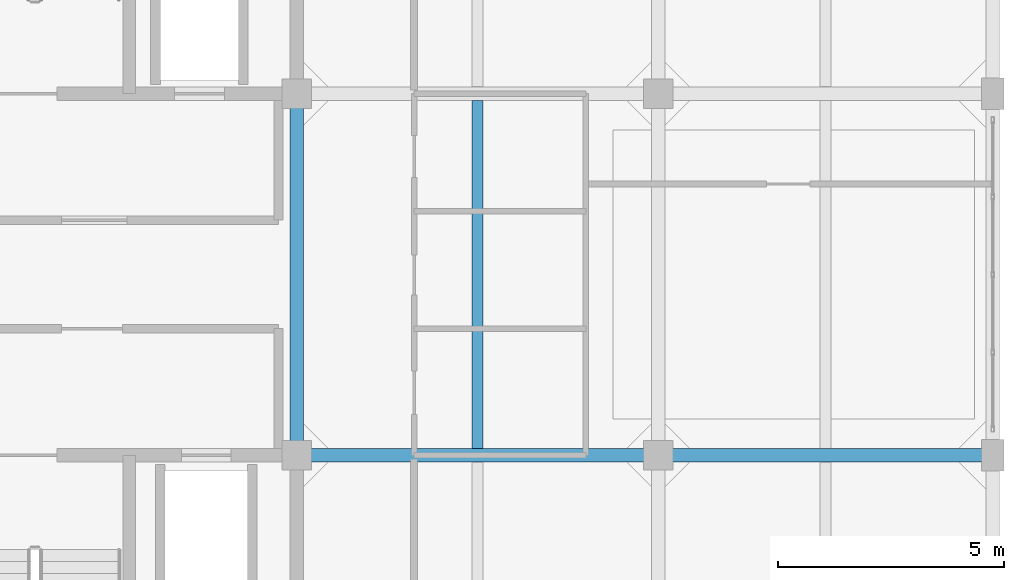
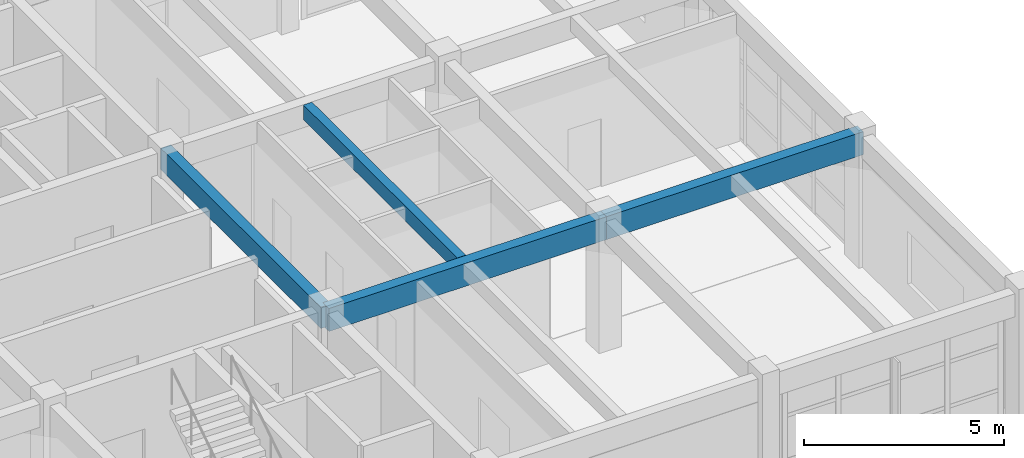
# One storey, part 7 of 18: 4 beams.
"""IFC4 building model written with IfcOpenShell, lengths in metres."""

from ifc_helpers import new_model, si_unit, direction, frame, origin, origin_2d, place, context, subcontext, project, spatial, rectangle, extrude, material, material_profile, profile_set, type_object, element, save


model = new_model("IFC4")

# Units and contexts
model_context = context("Model", 3, precision=1e-05, world=origin(), true_north=direction((0.0, 1.0)))
body_context = subcontext(model_context, "Body", "Model", "MODEL_VIEW")
ifc_project = project(units=[si_unit("LENGTHUNIT", "METRE"), si_unit("AREAUNIT", "SQUARE_METRE"), si_unit("VOLUMEUNIT", "CUBIC_METRE"), si_unit("PLANEANGLEUNIT", "RADIAN"), si_unit("MASSUNIT", "GRAM", prefix="KILO")], contexts=[model_context])

# Site, building, storey
site_placement = place(None, origin())
site = spatial("IfcSite", under=ifc_project, at=site_placement, CompositionType="ELEMENT")
building_placement = place(site_placement, origin())
building = spatial("IfcBuilding", under=site, at=building_placement, Name="Canggui Botanical Conservatory", CompositionType="ELEMENT")
storey_placement = place(building_placement, frame((0.0, 0.0, 61.199951171875)))
storey = spatial("IfcBuildingStorey", under=building, at=storey_placement, Name="L15", CompositionType="ELEMENT", Elevation=61.199951171875)

# Beams
ifc_material = material(Name="Concrete C35", Category="concrete")
ifc_material_profile_1 = material_profile(ifc_material, rectangle(XDim=0.25, YDim=0.449951171875, at=origin_2d()), Name="RB 250x450")
ifc_profile_set_1 = profile_set([ifc_material_profile_1], Name="Concrete C35")
beam_type_1 = type_object("IfcBeamType", Name="BM-JST05", PredefinedType="JOIST", material=ifc_profile_set_1)
beam_1_placement = place(storey_placement, frame((166.0, 50.155029296875, 3.735107421875), z_axis=(0.0, 1.0, 0.0), x_axis=(-1.0, 0.0, 0.0)))
element("IfcBeam", 1, at=beam_1_placement, inside=storey, type_object=beam_type_1, Name="Secondary Floor Joist L15-3-2", PredefinedType="JOIST", context=body_context, shape_type="SweptSolid", body=[
    extrude(rectangle(XDim=0.25, YDim=0.449951171875, at=origin_2d()), origin(), (0.0, 0.0, 1.0), 7.68994140625),
])
ifc_material_profile_2 = material_profile(ifc_material, rectangle(XDim=0.300048828125, YDim=0.699951171875, at=origin_2d()), Name="RB 300x700")
ifc_profile_set_2 = profile_set([ifc_material_profile_2], Name="Concrete C35")
beam_type_2 = type_object("IfcBeamType", Name="BM-KL21", PredefinedType="BEAM", material=ifc_profile_set_2)
beam_2_placement = place(storey_placement, frame((162.0, 50.0, 3.610107421875), z_axis=(1.0, 0.0, 0.0), x_axis=(0.0, 1.0, 0.0)))
element("IfcBeam", 2, at=beam_2_placement, inside=storey, type_object=beam_type_2, Name="Frame Girder L15 Y50-3", PredefinedType="BEAM", context=body_context, shape_type="SweptSolid", body=[
    extrude(rectangle(XDim=0.300048828125, YDim=0.699951171875, at=origin_2d()), origin(), (0.0, 0.0, 1.0), 8.0),
])
beam_3_placement = place(storey_placement, frame((170.0, 50.0, 3.610107421875), z_axis=(1.0, 0.0, 0.0), x_axis=(0.0, 1.0, 0.0)))
element("IfcBeam", 3, at=beam_3_placement, inside=storey, type_object=beam_type_2, Name="Frame Girder L15 Y50-4", PredefinedType="BEAM", context=body_context, shape_type="SweptSolid", body=[
    extrude(rectangle(XDim=0.300048828125, YDim=0.699951171875, at=origin_2d()), origin(), (0.0, 0.0, 1.0), 7.39990234375),
])
ifc_material_profile_3 = material_profile(ifc_material, rectangle(XDim=0.300048828125, YDim=0.64990234375, at=origin_2d()), Name="RB 300x650")
ifc_profile_set_3 = profile_set([ifc_material_profile_3], Name="Concrete C35")
beam_type_3 = type_object("IfcBeamType", Name="BM-KL22", PredefinedType="BEAM", material=ifc_profile_set_3)
beam_4_placement = place(storey_placement, frame((162.0, 50.0, 3.635009765625), z_axis=(0.0, 1.0, 0.0), x_axis=(-1.0, 0.0, 0.0)))
element("IfcBeam", 4, at=beam_4_placement, inside=storey, type_object=beam_type_3, Name="Frame Girder L15 X162-2", PredefinedType="BEAM", context=body_context, shape_type="SweptSolid", body=[
    extrude(rectangle(XDim=0.300048828125, YDim=0.64990234375, at=origin_2d()), origin(), (0.0, 0.0, 1.0), 8.0),
])

save(model, "model.ifc")
